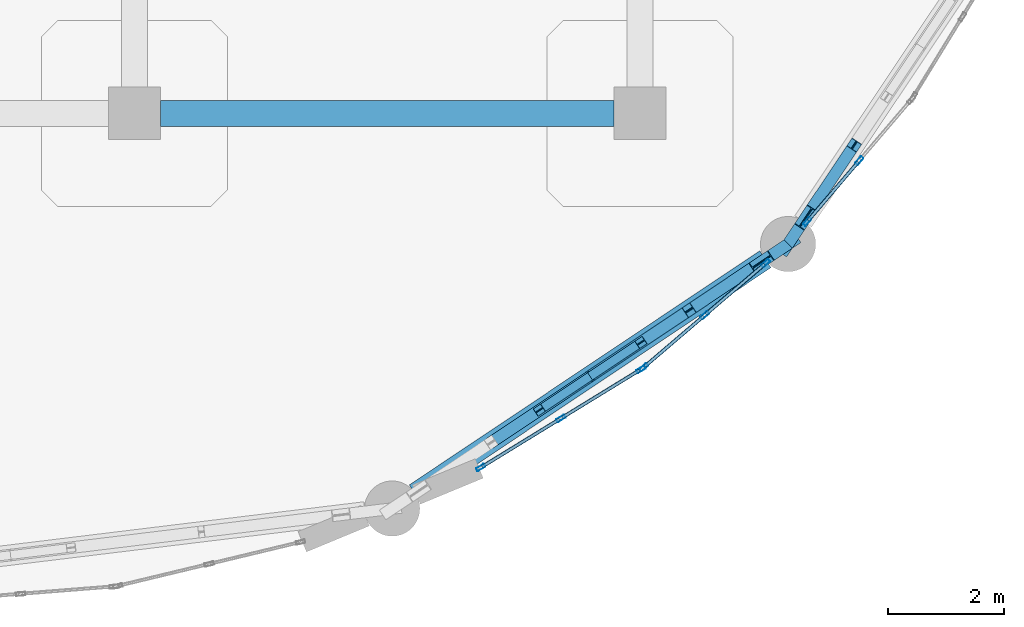
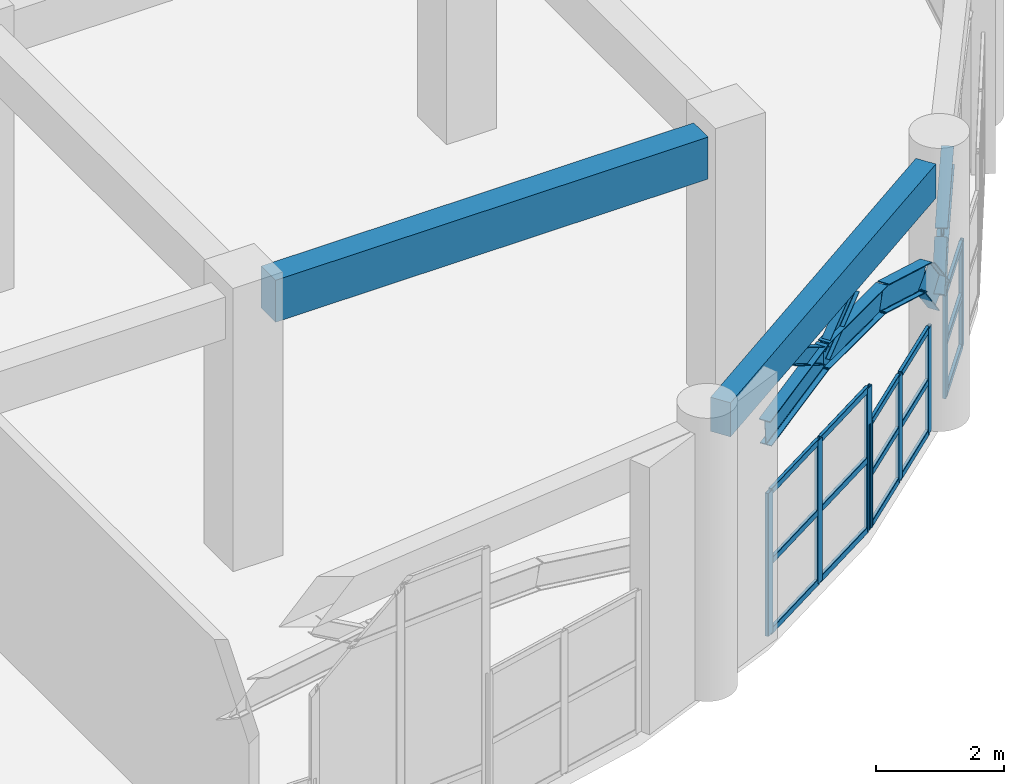
# One storey, part 56 of 114: 25 members, 8 beams, 3 elements without a shape of their own.
"""IFC4 building model written with IfcOpenShell, lengths in metres."""

from ifc_helpers import new_model, si_unit, derived_unit, direction, frame, origin, origin_2d, place, context, subcontext, project, spatial, rectangle, hollow_rectangle, i_section, extrude, material, layer, layer_set, material_profile, profile_set, type_object, element, aggregate, save


model = new_model("IFC4")

# Units and contexts
model_context = context("Model", 3, precision=1e-05, world=origin(), true_north=direction((0.0, 1.0)))
body_context = subcontext(model_context, "Body", "Model", "MODEL_VIEW")
ifc_project = project(units=[si_unit("LENGTHUNIT", "METRE"), si_unit("AREAUNIT", "SQUARE_METRE"), si_unit("VOLUMEUNIT", "CUBIC_METRE"), si_unit("PLANEANGLEUNIT", "RADIAN"), si_unit("MASSUNIT", "GRAM", prefix="KILO"), derived_unit("THERMALTRANSMITTANCEUNIT", [(si_unit("MASSUNIT", "GRAM", prefix="KILO"), 1), (si_unit("TIMEUNIT", "SECOND"), -3), (si_unit("THERMODYNAMICTEMPERATUREUNIT", "KELVIN"), -1)])], contexts=[model_context])

# Site, building, storey
site_placement = place(None, origin())
site = spatial("IfcSite", under=ifc_project, at=site_placement, CompositionType="ELEMENT")
building_placement = place(site_placement, origin())
building = spatial("IfcBuilding", under=site, at=building_placement, Name="Qinzheling Arcade Emporium", CompositionType="ELEMENT")
storey_placement = place(building_placement, frame((0.0, 0.0, 6.0)))
storey = spatial("IfcBuildingStorey", under=building, at=storey_placement, Name="L02", CompositionType="ELEMENT", Elevation=6.0)

# Beams
ifc_material_1 = material(Name="Weathering steel Q355NH", Category="steel")
ifc_material_profile_1 = material_profile(ifc_material_1, i_section(OverallWidth=0.199951171875, OverallDepth=0.5, WebThickness=0.010009765625, FlangeThickness=0.01611328125, FilletRadius=0.01806640625, at=origin_2d()), Name="HN 500x200x10x16", Category="steel")
ifc_profile_set_1 = profile_set([ifc_material_profile_1], Name="Weathering steel Q355NH")
beam_type_1 = type_object("IfcBeamType", Name="Arcade End Arch Rib HN500 Q355NH", PredefinedType="BEAM", material=ifc_profile_set_1)
beam_1_placement = place(storey_placement, frame((162.739013671875, 2.737060546875, 3.509033203125), z_axis=(0.827855591521, 0.553209306391, 0.092814777429), x_axis=(-0.555607646808, 0.831444611991, 0.0)))
element("IfcBeam", 1, at=beam_1_placement, inside=storey, type_object=beam_type_1, Name="Curved Arcade Entrance Arch ARC-L02-CV4-B02-C03", PredefinedType="BEAM", context=body_context, shape_type="SweptSolid", body=[
    extrude(i_section(OverallWidth=0.199951171875, OverallDepth=0.5, WebThickness=0.010009765625, FlangeThickness=0.01611328125, FilletRadius=0.01806640625, at=origin_2d()), origin(), (0.0, 0.0, 1.0), 2.056884765625),
])
beam_2_placement = place(storey_placement, frame((164.44189453125, 3.875, 3.699951171875), z_axis=(0.82804218446, 0.552937624895, -0.092769196024), x_axis=(-0.555332418252, 0.831628465866, 0.0)))
element("IfcBeam", 2, at=beam_2_placement, inside=storey, type_object=beam_type_1, Name="Curved Arcade Entrance Arch ARC-L02-CV4-B02-C04", PredefinedType="BEAM", context=body_context, shape_type="SweptSolid", body=[
    extrude(i_section(OverallWidth=0.199951171875, OverallDepth=0.5, WebThickness=0.010009765625, FlangeThickness=0.01611328125, FilletRadius=0.01806640625, at=origin_2d()), origin(), (0.0, 0.0, 1.0), 2.05810546875),
])
beam_3_placement = place(storey_placement, frame((166.14599609375, 5.012939453125, 3.509033203125), z_axis=(0.785498900651, 0.524691121578, -0.328162618244), x_axis=(-0.555451324547, 0.831549052106, 0.0)))
element("IfcBeam", 3, at=beam_3_placement, inside=storey, type_object=beam_type_1, Name="Curved Arcade Entrance Arch ARC-L02-CV4-B02-C05", PredefinedType="BEAM", context=body_context, shape_type="SweptSolid", body=[
    extrude(i_section(OverallWidth=0.199951171875, OverallDepth=0.5, WebThickness=0.010009765625, FlangeThickness=0.01611328125, FilletRadius=0.01806640625, at=origin_2d()), origin(), (0.0, 0.0, 1.0), 1.587646484375),
])
for number, where, z_axis, x_axis, name in (
    (4, (167.39306640625, 5.845947265625, 2.988037109375), (0.506874389931, 0.338911195409, -0.792601762841), (-0.555829349854, 0.831296417556, 0.0), "Curved Arcade Entrance Arch ARC-L02-CV4-B02-C06"),
    (5, (167.84912109375, 6.15087890625, 2.27490234375), (0.338911195409, 0.506874389931, 0.792601762841), (-0.831296417556, 0.555829349854, 0.0), "Curved Arcade Entrance Arch ARC-L02-CV4-B03-C01"),
):
    element("IfcBeam", number, at=place(storey_placement, frame(where, z_axis=z_axis, x_axis=x_axis)), inside=storey, type_object=beam_type_1, Name=name, PredefinedType="BEAM", context=body_context, shape_type="SweptSolid", body=[
        extrude(i_section(OverallWidth=0.199951171875, OverallDepth=0.5, WebThickness=0.010009765625, FlangeThickness=0.01611328125, FilletRadius=0.01806640625, at=origin_2d()), origin(), (0.0, 0.0, 1.0), 0.899658203125),
    ])
beam_4_placement = place(storey_placement, frame((168.154052734375, 6.60693359375, 2.988037109375), z_axis=(0.524691121578, 0.785498900651, 0.328162618244), x_axis=(-0.831549052106, 0.555451324547, 0.0)))
element("IfcBeam", 6, at=beam_4_placement, inside=storey, type_object=beam_type_1, Name="Curved Arcade Entrance Arch ARC-L02-CV4-B03-C02", PredefinedType="BEAM", context=body_context, shape_type="SweptSolid", body=[
    extrude(i_section(OverallWidth=0.199951171875, OverallDepth=0.5, WebThickness=0.010009765625, FlangeThickness=0.01611328125, FilletRadius=0.01806640625, at=origin_2d()), origin(), (0.0, 0.0, 1.0), 1.587646484375),
])

# Members
ifc_material_profile_2 = material_profile(ifc_material_1, i_section(OverallWidth=0.14990234375, OverallDepth=0.300048828125, WebThickness=0.006591796875, FlangeThickness=0.009033203125, FilletRadius=0.012939453125, at=origin_2d()), Name="HN 300x150x6.5x9", Category="steel")
ifc_profile_set_2 = profile_set([ifc_material_profile_2], Name="Weathering steel Q355NH")
member_type_1 = type_object("IfcMemberType", Name="Arcade Spandrel Web Chord HN300 Q355NH", PredefinedType="CHORD", material=ifc_profile_set_2)
member_1_placement = place(storey_placement, frame((164.44189453125, 3.875, 3.7099609375), z_axis=(-0.709934192444, -0.474216182254, 0.520684602123), x_axis=(0.555451450497, -0.831548967976, 0.0)))
element("IfcMember", 7, at=member_1_placement, inside=storey, type_object=member_type_1, Name="Arcade Spandrel Web Chord ASW-L02-CV4-B02-W1", PredefinedType="CHORD", context=body_context, shape_type="SweptSolid", body=[
    extrude(i_section(OverallWidth=0.14990234375, OverallDepth=0.300048828125, WebThickness=0.006591796875, FlangeThickness=0.009033203125, FilletRadius=0.012939453125, at=origin_2d()), origin(), (0.0, 0.0, 1.0), 1.2294921875),
])
member_2_placement = place(storey_placement, frame((164.44189453125, 3.875, 3.7099609375), z_axis=(0.710426151393, 0.473882025007, 0.520317700825), x_axis=(-0.554914679021, 0.83190726587, 0.0)))
element("IfcMember", 8, at=member_2_placement, inside=storey, type_object=member_type_1, Name="Arcade Spandrel Web Chord ASW-L02-CV4-B02-W2", PredefinedType="CHORD", context=body_context, shape_type="SweptSolid", body=[
    extrude(i_section(OverallWidth=0.14990234375, OverallDepth=0.300048828125, WebThickness=0.006591796875, FlangeThickness=0.009033203125, FilletRadius=0.012939453125, at=origin_2d()), origin(), (0.0, 0.0, 1.0), 1.230224609375),
])

# Curtain wall, members
ifc_material_2 = material(Name="Anodised aluminium and solar-control double glazing", Category="aluminium")
ifc_layer = layer(ifc_material_2, 0.159912109375, Name="Anodised aluminium and solar-control double glazing", Category="aluminium")
ifc_layer_set = layer_set([ifc_layer], Name="Anodised aluminium and solar-control double glazing")
curtain_wall_type = type_object("IfcCurtainWallType", Name="Curved Ribbon Sales Curtain Wall", PredefinedType="NOTDEFINED", material=ifc_layer_set)
curtain_wall_1_placement = place(storey_placement, origin())
curtain_wall_1 = element("IfcCurtainWall", 9, at=curtain_wall_1_placement, inside=storey, type_object=curtain_wall_type, Name="Curtain Wall CW-L02-052", PredefinedType="NOTDEFINED")
ifc_material_3 = material(Name="Anodised aluminium 6063-T6", Category="aluminium")
ifc_material_profile_3 = material_profile(ifc_material_3, hollow_rectangle(XDim=0.06005859375, YDim=0.159912109375, WallThickness=0.00390625, InnerFilletRadius=0.00390625, OuterFilletRadius=0.008056640625, at=origin_2d()), Name="RHS 160x60x4", Category="aluminium")
ifc_profile_set_3 = profile_set([ifc_material_profile_3], Name="Anodised aluminium 6063-T6")
member_type_2 = type_object("IfcMemberType", Name="Curtain Wall Mullion RHS160x60", PredefinedType="MULLION", material=ifc_profile_set_3)
member_3_placement = place(storey_placement, frame((169.073974609375, 7.58544921875, 0.0), z_axis=(0.0, 0.0, 1.0), x_axis=(0.76045764417, -0.649387535624, 0.0)))
member_3 = element("IfcMember", 10, at=member_3_placement, type_object=member_type_2, Name="CW02 mullion 2", PredefinedType="MULLION", context=body_context, shape_type="SweptSolid", body=[
    extrude(hollow_rectangle(XDim=0.06005859375, YDim=0.159912109375, WallThickness=0.00390625, InnerFilletRadius=0.00390625, OuterFilletRadius=0.008056640625, at=origin_2d()), origin(), (0.0, 0.0, 1.0), 2.010009765625),
])
member_4_placement = place(storey_placement, frame((168.178466796875, 6.536865234375, 0.0), z_axis=(0.0, 0.0, 1.0), x_axis=(0.76045764417, -0.649387535624, 0.0)))
member_4 = element("IfcMember", 11, at=member_4_placement, type_object=member_type_2, Name="CW02 mullion 3", PredefinedType="MULLION", context=body_context, shape_type="SweptSolid", body=[
    extrude(hollow_rectangle(XDim=0.06005859375, YDim=0.159912109375, WallThickness=0.00390625, InnerFilletRadius=0.00390625, OuterFilletRadius=0.008056640625, at=origin_2d()), origin(), (0.0, 0.0, 1.0), 2.010009765625),
])

curtain_wall_2_placement = place(storey_placement, origin())
curtain_wall_2 = element("IfcCurtainWall", 12, at=curtain_wall_2_placement, inside=storey, type_object=curtain_wall_type, Name="Curtain Wall CW-L02-053", PredefinedType="NOTDEFINED")
member_5_placement = place(storey_placement, frame((167.463134765625, 5.821533203125, 0.0), z_axis=(0.0, 0.0, 1.0), x_axis=(0.649387535624, -0.76045764417, 0.0)))
member_5 = element("IfcMember", 13, at=member_5_placement, type_object=member_type_2, Name="CW02 mullion 1", PredefinedType="MULLION", context=body_context, shape_type="SweptSolid", body=[
    extrude(hollow_rectangle(XDim=0.06005859375, YDim=0.159912109375, WallThickness=0.00390625, InnerFilletRadius=0.00390625, OuterFilletRadius=0.008056640625, at=origin_2d()), origin(), (0.0, 0.0, 1.0), 2.010009765625),
])
member_6_placement = place(storey_placement, frame((166.41455078125, 4.926025390625, 0.0), z_axis=(0.0, 0.0, 1.0), x_axis=(0.649387535624, -0.76045764417, 0.0)))
member_6 = element("IfcMember", 14, at=member_6_placement, type_object=member_type_2, Name="CW02 mullion 2", PredefinedType="MULLION", context=body_context, shape_type="SweptSolid", body=[
    extrude(hollow_rectangle(XDim=0.06005859375, YDim=0.159912109375, WallThickness=0.00390625, InnerFilletRadius=0.00390625, OuterFilletRadius=0.008056640625, at=origin_2d()), origin(), (0.0, 0.0, 1.0), 2.010009765625),
])
member_7_placement = place(storey_placement, frame((165.36572265625, 4.030517578125, 0.0), z_axis=(0.0, 0.0, 1.0), x_axis=(0.649387535624, -0.76045764417, 0.0)))
member_7 = element("IfcMember", 15, at=member_7_placement, type_object=member_type_2, Name="CW02 mullion 3", PredefinedType="MULLION", context=body_context, shape_type="SweptSolid", body=[
    extrude(hollow_rectangle(XDim=0.06005859375, YDim=0.159912109375, WallThickness=0.00390625, InnerFilletRadius=0.00390625, OuterFilletRadius=0.008056640625, at=origin_2d()), origin(), (0.0, 0.0, 1.0), 2.010009765625),
])

curtain_wall_3_placement = place(storey_placement, origin())
curtain_wall_3 = element("IfcCurtainWall", 16, at=curtain_wall_3_placement, inside=storey, type_object=curtain_wall_type, Name="Curtain Wall CW-L02-054", PredefinedType="NOTDEFINED")
member_8_placement = place(storey_placement, frame((165.3173828125, 3.995361328125, 0.0), z_axis=(0.0, 0.0, 1.0), x_axis=(0.522640343274, -0.852553266126, 0.0)))
member_8 = element("IfcMember", 17, at=member_8_placement, type_object=member_type_2, Name="CW02 mullion 1", PredefinedType="MULLION", context=body_context, shape_type="SweptSolid", body=[
    extrude(hollow_rectangle(XDim=0.06005859375, YDim=0.159912109375, WallThickness=0.00390625, InnerFilletRadius=0.00390625, OuterFilletRadius=0.008056640625, at=origin_2d()), origin(), (0.0, 0.0, 1.0), 2.722900390625),
])
member_9_placement = place(storey_placement, frame((163.9384765625, 3.14990234375, 0.0), z_axis=(0.0, 0.0, 1.0), x_axis=(0.522640343274, -0.852553266126, 0.0)))
member_9 = element("IfcMember", 18, at=member_9_placement, type_object=member_type_2, Name="CW02 mullion 2", PredefinedType="MULLION", context=body_context, shape_type="SweptSolid", body=[
    extrude(hollow_rectangle(XDim=0.06005859375, YDim=0.159912109375, WallThickness=0.00390625, InnerFilletRadius=0.00390625, OuterFilletRadius=0.008056640625, at=origin_2d()), origin(), (0.0, 0.0, 1.0), 2.722900390625),
])
member_10_placement = place(storey_placement, frame((162.5595703125, 2.3046875, 0.0), z_axis=(0.0, 0.0, 1.0), x_axis=(0.522640343274, -0.852553266126, 0.0)))
member_10 = element("IfcMember", 19, at=member_10_placement, type_object=member_type_2, Name="CW02 mullion 3", PredefinedType="MULLION", context=body_context, shape_type="SweptSolid", body=[
    extrude(hollow_rectangle(XDim=0.06005859375, YDim=0.159912109375, WallThickness=0.00390625, InnerFilletRadius=0.00390625, OuterFilletRadius=0.008056640625, at=origin_2d()), origin(), (0.0, 0.0, 1.0), 2.722900390625),
])

# Member
ifc_material_profile_4 = material_profile(ifc_material_3, hollow_rectangle(XDim=0.06005859375, YDim=0.1201171875, WallThickness=0.00390625, InnerFilletRadius=0.00390625, OuterFilletRadius=0.008056640625, at=origin_2d()), Name="RHS 120x60x4", Category="aluminium")
ifc_profile_set_4 = profile_set([ifc_material_profile_4], Name="Anodised aluminium 6063-T6")
member_type_3 = type_object("IfcMemberType", Name="Curtain Wall Transom RHS120x60", PredefinedType="USERDEFINED", material=ifc_profile_set_4)
member_11_placement = place(storey_placement, frame((169.054443359375, 7.562744140625, 0.030029296875), z_axis=(-0.649296327342, -0.760535521393, 0.0), x_axis=(0.760535521393, -0.649296327342, 0.0)))
member_11 = element("IfcMember", 20, at=member_11_placement, type_object=member_type_3, Name="CW02 transom 2.1", ObjectType="TRANSOM", PredefinedType="USERDEFINED", context=body_context, shape_type="SweptSolid", body=[
    extrude(hollow_rectangle(XDim=0.06005859375, YDim=0.1201171875, WallThickness=0.00390625, InnerFilletRadius=0.00390625, OuterFilletRadius=0.008056640625, at=origin_2d()), origin(), (0.0, 0.0, 1.0), 1.319091796875),
])

member_12_placement = place(storey_placement, frame((169.054443359375, 7.562744140625, 1.0048828125), z_axis=(-0.649296327342, -0.760535521393, 0.0), x_axis=(0.760535521393, -0.649296327342, 0.0)))
member_12 = element("IfcMember", 21, at=member_12_placement, type_object=member_type_3, Name="CW02 transom 2.2", ObjectType="TRANSOM", PredefinedType="USERDEFINED", context=body_context, shape_type="SweptSolid", body=[
    extrude(hollow_rectangle(XDim=0.06005859375, YDim=0.1201171875, WallThickness=0.00390625, InnerFilletRadius=0.00390625, OuterFilletRadius=0.008056640625, at=origin_2d()), origin(), (0.0, 0.0, 1.0), 1.319091796875),
])

member_13_placement = place(storey_placement, frame((169.054443359375, 7.562744140625, 1.97998046875), z_axis=(-0.649296327342, -0.760535521393, 0.0), x_axis=(0.760535521393, -0.649296327342, 0.0)))
member_13 = element("IfcMember", 22, at=member_13_placement, type_object=member_type_3, Name="CW02 transom 2.3", ObjectType="TRANSOM", PredefinedType="USERDEFINED", context=body_context, shape_type="SweptSolid", body=[
    extrude(hollow_rectangle(XDim=0.06005859375, YDim=0.1201171875, WallThickness=0.00390625, InnerFilletRadius=0.00390625, OuterFilletRadius=0.008056640625, at=origin_2d()), origin(), (0.0, 0.0, 1.0), 1.319091796875),
])

aggregate(curtain_wall_1, [member_3, member_4, member_11, member_12, member_13])

member_14_placement = place(storey_placement, frame((167.4404296875, 5.802001953125, 0.030029296875), z_axis=(-0.760535521393, -0.649296327342, 0.0), x_axis=(0.649296327342, -0.760535521393, 0.0)))
member_14 = element("IfcMember", 23, at=member_14_placement, type_object=member_type_3, Name="CW02 transom 1.1", ObjectType="TRANSOM", PredefinedType="USERDEFINED", context=body_context, shape_type="SweptSolid", body=[
    extrude(hollow_rectangle(XDim=0.06005859375, YDim=0.1201171875, WallThickness=0.00390625, InnerFilletRadius=0.00390625, OuterFilletRadius=0.008056640625, at=origin_2d()), origin(), (0.0, 0.0, 1.0), 1.319091796875),
])

member_15_placement = place(storey_placement, frame((167.4404296875, 5.802001953125, 1.0048828125), z_axis=(-0.760535521393, -0.649296327342, 0.0), x_axis=(0.649296327342, -0.760535521393, 0.0)))
member_15 = element("IfcMember", 24, at=member_15_placement, type_object=member_type_3, Name="CW02 transom 1.2", ObjectType="TRANSOM", PredefinedType="USERDEFINED", context=body_context, shape_type="SweptSolid", body=[
    extrude(hollow_rectangle(XDim=0.06005859375, YDim=0.1201171875, WallThickness=0.00390625, InnerFilletRadius=0.00390625, OuterFilletRadius=0.008056640625, at=origin_2d()), origin(), (0.0, 0.0, 1.0), 1.319091796875),
])

member_16_placement = place(storey_placement, frame((167.4404296875, 5.802001953125, 1.97998046875), z_axis=(-0.760535521393, -0.649296327342, 0.0), x_axis=(0.649296327342, -0.760535521393, 0.0)))
member_16 = element("IfcMember", 25, at=member_16_placement, type_object=member_type_3, Name="CW02 transom 1.3", ObjectType="TRANSOM", PredefinedType="USERDEFINED", context=body_context, shape_type="SweptSolid", body=[
    extrude(hollow_rectangle(XDim=0.06005859375, YDim=0.1201171875, WallThickness=0.00390625, InnerFilletRadius=0.00390625, OuterFilletRadius=0.008056640625, at=origin_2d()), origin(), (0.0, 0.0, 1.0), 1.319091796875),
])

member_17_placement = place(storey_placement, frame((166.3916015625, 4.906494140625, 0.030029296875), z_axis=(-0.76045747354, -0.649387735438, 0.0), x_axis=(0.649387735438, -0.76045747354, 0.0)))
member_17 = element("IfcMember", 26, at=member_17_placement, type_object=member_type_3, Name="CW02 transom 2.1", ObjectType="TRANSOM", PredefinedType="USERDEFINED", context=body_context, shape_type="SweptSolid", body=[
    extrude(hollow_rectangle(XDim=0.06005859375, YDim=0.1201171875, WallThickness=0.00390625, InnerFilletRadius=0.00390625, OuterFilletRadius=0.008056640625, at=origin_2d()), origin(), (0.0, 0.0, 1.0), 1.31884765625),
])

member_18_placement = place(storey_placement, frame((166.3916015625, 4.906494140625, 1.0048828125), z_axis=(-0.76045747354, -0.649387735438, 0.0), x_axis=(0.649387735438, -0.76045747354, 0.0)))
member_18 = element("IfcMember", 27, at=member_18_placement, type_object=member_type_3, Name="CW02 transom 2.2", ObjectType="TRANSOM", PredefinedType="USERDEFINED", context=body_context, shape_type="SweptSolid", body=[
    extrude(hollow_rectangle(XDim=0.06005859375, YDim=0.1201171875, WallThickness=0.00390625, InnerFilletRadius=0.00390625, OuterFilletRadius=0.008056640625, at=origin_2d()), origin(), (0.0, 0.0, 1.0), 1.31884765625),
])

member_19_placement = place(storey_placement, frame((166.3916015625, 4.906494140625, 1.97998046875), z_axis=(-0.76045747354, -0.649387735438, 0.0), x_axis=(0.649387735438, -0.76045747354, 0.0)))
member_19 = element("IfcMember", 28, at=member_19_placement, type_object=member_type_3, Name="CW02 transom 2.3", ObjectType="TRANSOM", PredefinedType="USERDEFINED", context=body_context, shape_type="SweptSolid", body=[
    extrude(hollow_rectangle(XDim=0.06005859375, YDim=0.1201171875, WallThickness=0.00390625, InnerFilletRadius=0.00390625, OuterFilletRadius=0.008056640625, at=origin_2d()), origin(), (0.0, 0.0, 1.0), 1.31884765625),
])

aggregate(curtain_wall_2, [member_5, member_6, member_7, member_14, member_15, member_16, member_17, member_18, member_19])

member_20_placement = place(storey_placement, frame((165.291748046875, 3.979736328125, 0.030029296875), z_axis=(-0.852529143151, -0.522679691664, 0.0), x_axis=(0.522679691664, -0.852529143151, 0.0)))
member_20 = element("IfcMember", 29, at=member_20_placement, type_object=member_type_3, Name="CW02 transom 1.1", ObjectType="TRANSOM", PredefinedType="USERDEFINED", context=body_context, shape_type="SweptSolid", body=[
    extrude(hollow_rectangle(XDim=0.06005859375, YDim=0.1201171875, WallThickness=0.00390625, InnerFilletRadius=0.00390625, OuterFilletRadius=0.008056640625, at=origin_2d()), origin(), (0.0, 0.0, 1.0), 1.557373046875),
])

member_21_placement = place(storey_placement, frame((165.291748046875, 3.979736328125, 1.362060546875), z_axis=(-0.852529143151, -0.522679691664, 0.0), x_axis=(0.522679691664, -0.852529143151, 0.0)))
member_21 = element("IfcMember", 30, at=member_21_placement, type_object=member_type_3, Name="CW02 transom 1.2", ObjectType="TRANSOM", PredefinedType="USERDEFINED", context=body_context, shape_type="SweptSolid", body=[
    extrude(hollow_rectangle(XDim=0.06005859375, YDim=0.1201171875, WallThickness=0.00390625, InnerFilletRadius=0.00390625, OuterFilletRadius=0.008056640625, at=origin_2d()), origin(), (0.0, 0.0, 1.0), 1.557373046875),
])

member_22_placement = place(storey_placement, frame((165.291748046875, 3.979736328125, 2.693115234375), z_axis=(-0.852529143151, -0.522679691664, 0.0), x_axis=(0.522679691664, -0.852529143151, 0.0)))
member_22 = element("IfcMember", 31, at=member_22_placement, type_object=member_type_3, Name="CW02 transom 1.3", ObjectType="TRANSOM", PredefinedType="USERDEFINED", context=body_context, shape_type="SweptSolid", body=[
    extrude(hollow_rectangle(XDim=0.06005859375, YDim=0.1201171875, WallThickness=0.00390625, InnerFilletRadius=0.00390625, OuterFilletRadius=0.008056640625, at=origin_2d()), origin(), (0.0, 0.0, 1.0), 1.557373046875),
])

member_23_placement = place(storey_placement, frame((163.912841796875, 3.13427734375, 0.030029296875), z_axis=(-0.852529143151, -0.522679691664, 0.0), x_axis=(0.522679691664, -0.852529143151, 0.0)))
member_23 = element("IfcMember", 32, at=member_23_placement, type_object=member_type_3, Name="CW02 transom 2.1", ObjectType="TRANSOM", PredefinedType="USERDEFINED", context=body_context, shape_type="SweptSolid", body=[
    extrude(hollow_rectangle(XDim=0.06005859375, YDim=0.1201171875, WallThickness=0.00390625, InnerFilletRadius=0.00390625, OuterFilletRadius=0.008056640625, at=origin_2d()), origin(), (0.0, 0.0, 1.0), 1.557373046875),
])

member_24_placement = place(storey_placement, frame((163.912841796875, 3.13427734375, 1.362060546875), z_axis=(-0.852529143151, -0.522679691664, 0.0), x_axis=(0.522679691664, -0.852529143151, 0.0)))
member_24 = element("IfcMember", 33, at=member_24_placement, type_object=member_type_3, Name="CW02 transom 2.2", ObjectType="TRANSOM", PredefinedType="USERDEFINED", context=body_context, shape_type="SweptSolid", body=[
    extrude(hollow_rectangle(XDim=0.06005859375, YDim=0.1201171875, WallThickness=0.00390625, InnerFilletRadius=0.00390625, OuterFilletRadius=0.008056640625, at=origin_2d()), origin(), (0.0, 0.0, 1.0), 1.557373046875),
])

member_25_placement = place(storey_placement, frame((163.912841796875, 3.13427734375, 2.693115234375), z_axis=(-0.852529143151, -0.522679691664, 0.0), x_axis=(0.522679691664, -0.852529143151, 0.0)))
member_25 = element("IfcMember", 34, at=member_25_placement, type_object=member_type_3, Name="CW02 transom 2.3", ObjectType="TRANSOM", PredefinedType="USERDEFINED", context=body_context, shape_type="SweptSolid", body=[
    extrude(hollow_rectangle(XDim=0.06005859375, YDim=0.1201171875, WallThickness=0.00390625, InnerFilletRadius=0.00390625, OuterFilletRadius=0.008056640625, at=origin_2d()), origin(), (0.0, 0.0, 1.0), 1.557373046875),
])

aggregate(curtain_wall_3, [member_8, member_9, member_10, member_20, member_21, member_22, member_23, member_24, member_25])

# Beams
ifc_material_4 = material(Name="Concrete C40", Category="concrete")
ifc_material_profile_5 = material_profile(ifc_material_4, rectangle(XDim=0.449951171875, YDim=0.800048828125, at=origin_2d()), Name="RC 450x800", Category="concrete")
ifc_profile_set_5 = profile_set([ifc_material_profile_5], Name="Concrete C40")
beam_type_2 = type_object("IfcBeamType", Name="RC Primary Frame Beam 450x800 C40", PredefinedType="BEAM", material=ifc_profile_set_5)
beam_5_placement = place(storey_placement, frame((157.050048828125, 8.39990234375, 4.705078125), z_axis=(1.0, 0.0, 0.0), x_axis=(0.0, 1.0, 0.0)))
element("IfcBeam", 35, at=beam_5_placement, inside=storey, type_object=beam_type_2, Name="Beam BM-L02-X-B-19", PredefinedType="BEAM", context=body_context, shape_type="SweptSolid", body=[
    extrude(rectangle(XDim=0.449951171875, YDim=0.800048828125, at=origin_2d()), origin(), (0.0, 0.0, 1.0), 7.800048828125),
])
ifc_material_profile_6 = material_profile(ifc_material_4, rectangle(XDim=0.35009765625, YDim=0.64990234375, at=origin_2d()), Name="RC 350x650", Category="concrete")
ifc_profile_set_6 = profile_set([ifc_material_profile_6], Name="Concrete C40")
beam_type_3 = type_object("IfcBeamType", Name="RC Spandrel Edge Beam 350x650 C40", PredefinedType="SPANDREL", material=ifc_profile_set_6)
beam_6_placement = place(storey_placement, frame((161.427001953125, 1.860107421875, 4.794921875), z_axis=(0.831469874952, 0.555569839937, 0.0), x_axis=(-0.555569839937, 0.831469874952, 0.0)))
element("IfcBeam", 36, at=beam_6_placement, inside=storey, type_object=beam_type_3, Name="Curved Arcade Spandrel BM-L02-CV4-B02", PredefinedType="SPANDREL", context=body_context, shape_type="SweptSolid", body=[
    extrude(rectangle(XDim=0.35009765625, YDim=0.64990234375, at=origin_2d()), origin(), (0.0, 0.0, 1.0), 7.25341796875),
])

save(model, "model.ifc")
